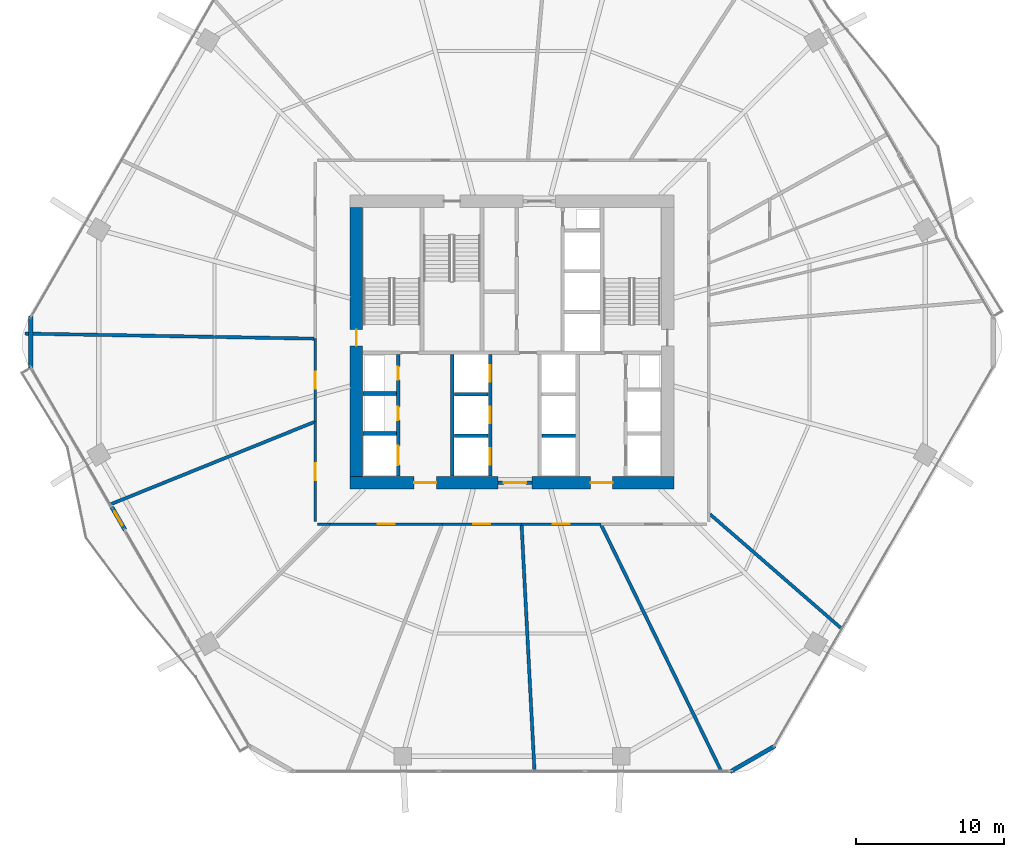
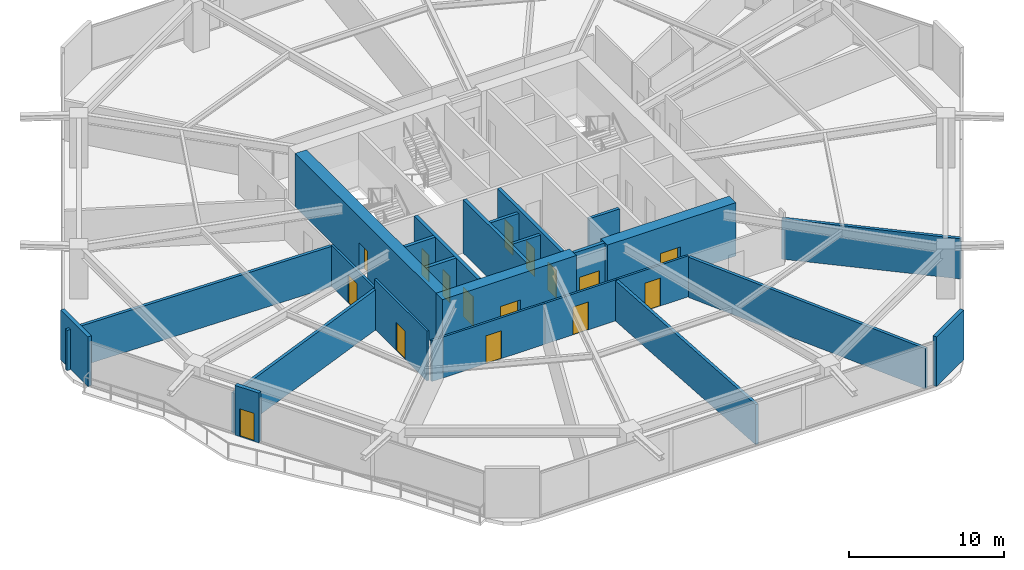
# One storey, part 22 of 27: 26 walls, 16 doors, 16 openings.
"""IFC4 building model written with IfcOpenShell, lengths in metres."""

from ifc_helpers import new_model, si_unit, direction, frame, frame_2d, origin, place, context, subcontext, project, spatial, rectangle, extrude, material, layer, layer_set, type_object, element, fill, save


model = new_model("IFC4")

# Units and contexts
model_context = context("Model", 3, precision=1e-05, world=origin(), true_north=direction((0.0, 1.0)))
body_context = subcontext(model_context, "Body", "Model", "MODEL_VIEW")
ifc_project = project(units=[si_unit("LENGTHUNIT", "METRE"), si_unit("AREAUNIT", "SQUARE_METRE"), si_unit("VOLUMEUNIT", "CUBIC_METRE"), si_unit("PLANEANGLEUNIT", "RADIAN"), si_unit("MASSUNIT", "GRAM", prefix="KILO")], contexts=[model_context])

# Site, building, storey
site_placement = place(None, origin())
site = spatial("IfcSite", under=ifc_project, at=site_placement, CompositionType="ELEMENT")
building_placement = place(site_placement, origin())
building = spatial("IfcBuilding", under=site, at=building_placement, Name="Zuhravey Tower", CompositionType="ELEMENT")
storey_placement = place(building_placement, frame((0.0, 0.0, 12.0)))
storey = spatial("IfcBuildingStorey", under=building, at=storey_placement, Name="L03", CompositionType="ELEMENT", Elevation=12.0)

# Wall, opening, door
ifc_material_1 = material(Name="Concrete C60/75", Category="concrete")
ifc_layer_1 = layer(ifc_material_1, 0.85009765625)
ifc_layer_set_1 = layer_set([ifc_layer_1], Name="Concrete C60/75")
wall_type_1 = type_object("IfcWallType", Name="Core Shear Wall 850", PredefinedType="SHEAR", material=ifc_layer_set_1)
wall_1_placement = place(storey_placement, frame((25.074951171875, 22.5, 0.0), z_axis=(0.0, 0.0, 1.0), x_axis=(1.0, 0.0, 0.0)))
wall_1 = element("IfcWall", 1, at=wall_1_placement, inside=storey, type_object=wall_type_1, Name="L03 South-West Core Shear Wall CW85", PredefinedType="SHEAR", context=body_context, shape_type="SweptSolid", body=[
    extrude(rectangle(XDim=9.97509765625, YDim=0.85009765625, at=frame_2d((4.987548828125, 0.0))), origin(), (0.0, 0.0, 1.0), 4.199951171875),
])
opening_1_placement = place(wall_1_placement, frame((4.324951171875, 0.0, 0.0)))
opening_1 = element("IfcOpeningElement", 2, at=opening_1_placement, cuts=wall_1, Name="Opening FFD1", PredefinedType="OPENING", context=body_context, shape_type="SweptSolid", body=[
    extrude(rectangle(XDim=1.5, YDim=2.14990234375, at=frame_2d((0.75, 1.074951171875))), frame((0.0, 0.43701171875, 0.0), z_axis=(0.0, -1.0, 0.0), x_axis=(1.0, 0.0, 0.0)), (0.0, 0.0, 1.0), 0.8740234375),
])
ifc_material_2 = material(Name="Galvanised fire-rated steel leaf", Category="steel")
door_type_1 = type_object("IfcDoorType", Name="Firefighting Lobby Double Door 1500x2150", OperationType="DOUBLE_DOOR_SINGLE_SWING", PredefinedType="DOOR", material=ifc_material_2)
door_1_placement = place(opening_1_placement, origin())
door_1 = element("IfcDoor", 3, at=door_1_placement, inside=storey, type_object=door_type_1, Name="L03 Firefighting Lobby West Door", OperationType="DOUBLE_DOOR_SINGLE_SWING", OverallHeight=2.14990234375, OverallWidth=1.5, PredefinedType="DOOR", context=body_context, shape_type="SweptSolid", body=[
    extrude(rectangle(XDim=1.5, YDim=2.14990234375, at=frame_2d((0.75, 1.074951171875))), frame((0.0, 0.02490234375, 0.0), z_axis=(0.0, -1.0, 0.0), x_axis=(1.0, 0.0, 0.0)), (0.0, 0.0, 1.0), 0.050048828125),
])
fill(opening_1, door_1)

wall_2_placement = place(storey_placement, frame((37.35009765625, 22.5, 0.0), z_axis=(0.0, 0.0, 1.0), x_axis=(1.0, 0.0, 0.0)))
wall_2 = element("IfcWall", 4, at=wall_2_placement, inside=storey, type_object=wall_type_1, Name="L03 South-East Core Shear Wall CW85", PredefinedType="SHEAR", context=body_context, shape_type="SweptSolid", body=[
    extrude(rectangle(XDim=9.574951171875, YDim=0.85009765625, at=frame_2d((4.78759765625, 0.0))), origin(), (0.0, 0.0, 1.0), 4.199951171875),
])
opening_2_placement = place(wall_2_placement, frame((3.949951171875, 0.0, 0.0)))
opening_2 = element("IfcOpeningElement", 5, at=opening_2_placement, cuts=wall_2, Name="Opening FFD1", PredefinedType="OPENING", context=body_context, shape_type="SweptSolid", body=[
    extrude(rectangle(XDim=1.5, YDim=2.14990234375, at=frame_2d((0.75, 1.074951171875))), frame((0.0, 0.43701171875, 0.0), z_axis=(0.0, -1.0, 0.0), x_axis=(1.0, 0.0, 0.0)), (0.0, 0.0, 1.0), 0.8740234375),
])
door_2_placement = place(opening_2_placement, origin())
door_2 = element("IfcDoor", 6, at=door_2_placement, inside=storey, type_object=door_type_1, Name="L03 Firefighting Lobby East Door", OperationType="DOUBLE_DOOR_SINGLE_SWING", OverallHeight=2.14990234375, OverallWidth=1.5, PredefinedType="DOOR", context=body_context, shape_type="SweptSolid", body=[
    extrude(rectangle(XDim=1.5, YDim=2.14990234375, at=frame_2d((0.75, 1.074951171875))), frame((0.0, 0.02490234375, 0.0), z_axis=(0.0, -1.0, 0.0), x_axis=(1.0, 0.0, 0.0)), (0.0, 0.0, 1.0), 0.050048828125),
])
fill(opening_2, door_2)

wall_3_placement = place(storey_placement, frame((25.5, 22.925048828125, 0.0), z_axis=(0.0, 0.0, 1.0), x_axis=(0.0, 1.0, 0.0)))
wall_3 = element("IfcWall", 7, at=wall_3_placement, inside=storey, type_object=wall_type_1, Name="L03 West Core Shear Wall CW85", PredefinedType="SHEAR", context=body_context, shape_type="SweptSolid", body=[
    extrude(rectangle(XDim=18.14990234375, YDim=0.85009765625, at=frame_2d((9.074951171875, 0.0))), origin(), (0.0, 0.0, 1.0), 4.199951171875),
])
opening_3_placement = place(wall_3_placement, frame((8.824951171875, 0.0, 0.0)))
opening_3 = element("IfcOpeningElement", 8, at=opening_3_placement, cuts=wall_3, Name="Opening STD1", PredefinedType="OPENING", context=body_context, shape_type="SweptSolid", body=[
    extrude(rectangle(XDim=1.10009765625, YDim=2.14990234375, at=frame_2d((0.550048828125, 1.074951171875))), frame((0.0, 0.43701171875, 0.0), z_axis=(0.0, -1.0, 0.0), x_axis=(1.0, 0.0, 0.0)), (0.0, 0.0, 1.0), 0.8740234375),
])
door_type_2 = type_object("IfcDoorType", Name="Protected Stair Fire Door 1100x2150", OperationType="NOTDEFINED", PredefinedType="USERDEFINED", material=ifc_material_2)
door_3_placement = place(opening_3_placement, frame((1.10009765625, 0.0, 0.0), z_axis=(0.0, 0.0, 1.0), x_axis=(-1.0, 0.0, 0.0)))
door_3 = element("IfcDoor", 9, at=door_3_placement, inside=storey, type_object=door_type_2, Name="L03 Stair ST1 Door", ObjectType="EXITDOOR", OperationType="SINGLE_SWING_RIGHT", OverallHeight=2.14990234375, OverallWidth=1.10009765625, PredefinedType="USERDEFINED", context=body_context, shape_type="SweptSolid", body=[
    extrude(rectangle(XDim=1.10009765625, YDim=2.14990234375, at=frame_2d((0.550048828125, 1.074951171875))), frame((0.0, 0.02490234375, 0.0), z_axis=(0.0, -1.0, 0.0), x_axis=(1.0, 0.0, 0.0)), (0.0, 0.0, 1.0), 0.050048828125),
])
fill(opening_3, door_3)

ifc_material_3 = material(Name="Gypsum fire-rated stud partition")
ifc_layer_2 = layer(ifc_material_3, 0.159912109375)
ifc_layer_set_2 = layer_set([ifc_layer_2], Name="Gypsum fire-rated stud partition")
wall_type_2 = type_object("IfcWallType", Name="Corridor Fire Partition 160", PredefinedType="PARTITIONING", material=ifc_layer_set_2)
wall_4_placement = place(storey_placement, frame((22.715087890625, 32.23193359375, 0.0), z_axis=(0.0, 0.0, 1.0), x_axis=(0.0, -1.0, 0.0)))
wall_4 = element("IfcWall", 10, at=wall_4_placement, inside=storey, type_object=wall_type_2, Name="L03 IW16 Partition 028", PredefinedType="PARTITIONING", context=body_context, shape_type="SweptSolid", body=[
    extrude(rectangle(XDim=5.599365234375, YDim=0.159912109375, at=frame_2d((2.7998046875, 0.0))), origin(), (0.0, 0.0, 1.0), 3.219970703125),
])
opening_4_placement = place(wall_4_placement, frame((2.224609375, 0.0, 0.0)))
opening_4 = element("IfcOpeningElement", 11, at=opening_4_placement, cuts=wall_4, Name="Opening CLD1", PredefinedType="OPENING", context=body_context, shape_type="SweptSolid", body=[
    extrude(rectangle(XDim=1.14990234375, YDim=2.199951171875, at=frame_2d((0.574951171875, 1.10009765625))), frame((0.0, 0.092041015625, 0.0), z_axis=(0.0, -1.0, 0.0), x_axis=(1.0, 0.0, 0.0)), (0.0, 0.0, 1.0), 0.183837890625),
])
ifc_material_4 = material(Name="Acoustic timber leaf with vision lite", Category="wood")
door_type_3 = type_object("IfcDoorType", Name="Classroom Acoustic Door 1150x2200", OperationType="NOTDEFINED", PredefinedType="DOOR", material=ifc_material_4)
door_4_placement = place(opening_4_placement, frame((1.14990234375, 0.0, 0.0), z_axis=(0.0, 0.0, 1.0), x_axis=(-1.0, 0.0, 0.0)))
door_4 = element("IfcDoor", 12, at=door_4_placement, inside=storey, type_object=door_type_3, Name="L03 Door 028.1", OperationType="SINGLE_SWING_LEFT", OverallHeight=2.199951171875, OverallWidth=1.14990234375, PredefinedType="DOOR", context=body_context, shape_type="SweptSolid", body=[
    extrude(rectangle(XDim=1.14990234375, YDim=2.199951171875, at=frame_2d((0.574951171875, 1.10009765625))), frame((0.0, 0.02490234375, 0.0), z_axis=(0.0, -1.0, 0.0), x_axis=(1.0, 0.0, 0.0)), (0.0, 0.0, 1.0), 0.050048828125),
])
fill(opening_4, door_4)

wall_5_placement = place(storey_placement, frame((22.715087890625, 26.632568359375, 0.0), z_axis=(0.0, 0.0, 1.0), x_axis=(0.0, -1.0, 0.0)))
wall_5 = element("IfcWall", 13, at=wall_5_placement, inside=storey, type_object=wall_type_2, Name="L03 IW16 Partition 029", PredefinedType="PARTITIONING", context=body_context, shape_type="SweptSolid", body=[
    extrude(rectangle(XDim=6.757568359375, YDim=0.159912109375, at=frame_2d((3.37890625, 0.0))), origin(), (0.0, 0.0, 1.0), 3.919921875),
])
opening_5_placement = place(wall_5_placement, frame((2.8037109375, 0.0, 0.0)))
opening_5 = element("IfcOpeningElement", 14, at=opening_5_placement, cuts=wall_5, Name="Opening CLD1", PredefinedType="OPENING", context=body_context, shape_type="SweptSolid", body=[
    extrude(rectangle(XDim=1.14990234375, YDim=2.199951171875, at=frame_2d((0.574951171875, 1.10009765625))), frame((0.0, 0.092041015625, 0.0), z_axis=(0.0, -1.0, 0.0), x_axis=(1.0, 0.0, 0.0)), (0.0, 0.0, 1.0), 0.183837890625),
])
door_5_placement = place(opening_5_placement, frame((1.14990234375, 0.0, 0.0), z_axis=(0.0, 0.0, 1.0), x_axis=(-1.0, 0.0, 0.0)))
door_5 = element("IfcDoor", 15, at=door_5_placement, inside=storey, type_object=door_type_3, Name="L03 Door 029.1", OperationType="SINGLE_SWING_RIGHT", OverallHeight=2.199951171875, OverallWidth=1.14990234375, PredefinedType="DOOR", context=body_context, shape_type="SweptSolid", body=[
    extrude(rectangle(XDim=1.14990234375, YDim=2.199951171875, at=frame_2d((0.574951171875, 1.10009765625))), frame((0.0, 0.02490234375, 0.0), z_axis=(0.0, -1.0, 0.0), x_axis=(1.0, 0.0, 0.0)), (0.0, 0.0, 1.0), 0.050048828125),
])
fill(opening_5, door_5)

wall_6_placement = place(storey_placement, frame((23.715087890625, 19.715087890625, 0.0), z_axis=(0.0, 0.0, 1.0), x_axis=(1.0, 0.0, 0.0)))
wall_6 = element("IfcWall", 16, at=wall_6_placement, inside=storey, type_object=wall_type_2, Name="L03 IW16 Partition 030", PredefinedType="PARTITIONING", context=body_context, shape_type="SweptSolid", body=[
    extrude(rectangle(XDim=7.569091796875, YDim=0.159912109375, at=frame_2d((3.78466796875, 0.0))), origin(), (0.0, 0.0, 1.0), 3.219970703125),
])
opening_6_placement = place(wall_6_placement, frame((3.209716796875, 0.0, 0.0)))
opening_6 = element("IfcOpeningElement", 17, at=opening_6_placement, cuts=wall_6, Name="Opening CLD1", PredefinedType="OPENING", context=body_context, shape_type="SweptSolid", body=[
    extrude(rectangle(XDim=1.14990234375, YDim=2.199951171875, at=frame_2d((0.574951171875, 1.10009765625))), frame((0.0, 0.092041015625, 0.0), z_axis=(0.0, -1.0, 0.0), x_axis=(1.0, 0.0, 0.0)), (0.0, 0.0, 1.0), 0.183837890625),
])
door_6_placement = place(opening_6_placement, frame((1.14990234375, 0.0, 0.0), z_axis=(0.0, 0.0, 1.0), x_axis=(-1.0, 0.0, 0.0)))
door_6 = element("IfcDoor", 18, at=door_6_placement, inside=storey, type_object=door_type_3, Name="L03 Door 030.1", OperationType="SINGLE_SWING_LEFT", OverallHeight=2.199951171875, OverallWidth=1.14990234375, PredefinedType="DOOR", context=body_context, shape_type="SweptSolid", body=[
    extrude(rectangle(XDim=1.14990234375, YDim=2.199951171875, at=frame_2d((0.574951171875, 1.10009765625))), frame((0.0, 0.02490234375, 0.0), z_axis=(0.0, -1.0, 0.0), x_axis=(1.0, 0.0, 0.0)), (0.0, 0.0, 1.0), 0.050048828125),
])
fill(opening_6, door_6)

wall_7_placement = place(storey_placement, frame((31.2841796875, 19.715087890625, 0.0), z_axis=(0.0, 0.0, 1.0), x_axis=(1.0, 0.0, 0.0)))
wall_7 = element("IfcWall", 19, at=wall_7_placement, inside=storey, type_object=wall_type_2, Name="L03 IW16 Partition 031", PredefinedType="PARTITIONING", context=body_context, shape_type="SweptSolid", body=[
    extrude(rectangle(XDim=5.359619140625, YDim=0.159912109375, at=frame_2d((2.6796875, 0.0))), origin(), (0.0, 0.0, 1.0), 3.219970703125),
])
opening_7_placement = place(wall_7_placement, frame((2.104736328125, 0.0, 0.0)))
opening_7 = element("IfcOpeningElement", 20, at=opening_7_placement, cuts=wall_7, Name="Opening CLD1", PredefinedType="OPENING", context=body_context, shape_type="SweptSolid", body=[
    extrude(rectangle(XDim=1.14990234375, YDim=2.199951171875, at=frame_2d((0.574951171875, 1.10009765625))), frame((0.0, 0.092041015625, 0.0), z_axis=(0.0, -1.0, 0.0), x_axis=(1.0, 0.0, 0.0)), (0.0, 0.0, 1.0), 0.183837890625),
])
door_7_placement = place(opening_7_placement, frame((1.14990234375, 0.0, 0.0), z_axis=(0.0, 0.0, 1.0), x_axis=(-1.0, 0.0, 0.0)))
door_7 = element("IfcDoor", 21, at=door_7_placement, inside=storey, type_object=door_type_3, Name="L03 Door 031.1", OperationType="SINGLE_SWING_RIGHT", OverallHeight=2.199951171875, OverallWidth=1.14990234375, PredefinedType="DOOR", context=body_context, shape_type="SweptSolid", body=[
    extrude(rectangle(XDim=1.14990234375, YDim=2.199951171875, at=frame_2d((0.574951171875, 1.10009765625))), frame((0.0, 0.02490234375, 0.0), z_axis=(0.0, -1.0, 0.0), x_axis=(1.0, 0.0, 0.0)), (0.0, 0.0, 1.0), 0.050048828125),
])
fill(opening_7, door_7)

wall_8_placement = place(storey_placement, frame((36.643798828125, 19.715087890625, 0.0), z_axis=(0.0, 0.0, 1.0), x_axis=(1.0, 0.0, 0.0)))
wall_8 = element("IfcWall", 22, at=wall_8_placement, inside=storey, type_object=wall_type_2, Name="L03 IW16 Partition 032", PredefinedType="PARTITIONING", context=body_context, shape_type="SweptSolid", body=[
    extrude(rectangle(XDim=5.347900390625, YDim=0.159912109375, at=frame_2d((2.673828125, 0.0))), origin(), (0.0, 0.0, 1.0), 3.219970703125),
])
opening_8_placement = place(wall_8_placement, frame((2.09912109375, 0.0, 0.0)))
opening_8 = element("IfcOpeningElement", 23, at=opening_8_placement, cuts=wall_8, Name="Opening CLD1", PredefinedType="OPENING", context=body_context, shape_type="SweptSolid", body=[
    extrude(rectangle(XDim=1.14990234375, YDim=2.199951171875, at=frame_2d((0.574951171875, 1.10009765625))), frame((0.0, 0.092041015625, 0.0), z_axis=(0.0, -1.0, 0.0), x_axis=(1.0, 0.0, 0.0)), (0.0, 0.0, 1.0), 0.183837890625),
])
door_8_placement = place(opening_8_placement, frame((1.14990234375, 0.0, 0.0), z_axis=(0.0, 0.0, 1.0), x_axis=(-1.0, 0.0, 0.0)))
door_8 = element("IfcDoor", 24, at=door_8_placement, inside=storey, type_object=door_type_3, Name="L03 Door 032.1", OperationType="SINGLE_SWING_LEFT", OverallHeight=2.199951171875, OverallWidth=1.14990234375, PredefinedType="DOOR", context=body_context, shape_type="SweptSolid", body=[
    extrude(rectangle(XDim=1.14990234375, YDim=2.199951171875, at=frame_2d((0.574951171875, 1.10009765625))), frame((0.0, 0.02490234375, 0.0), z_axis=(0.0, -1.0, 0.0), x_axis=(1.0, 0.0, 0.0)), (0.0, 0.0, 1.0), 0.050048828125),
])
fill(opening_8, door_8)

# Walls
wall_9_placement = place(storey_placement, frame((22.875, 19.715087890625, 0.0), z_axis=(0.0, 0.0, 1.0), x_axis=(1.0, 0.0, 0.0)))
element("IfcWall", 25, at=wall_9_placement, inside=storey, type_object=wall_type_2, Name="L03 IW16 Partition 057", PredefinedType="PARTITIONING", context=body_context, shape_type="SweptSolid", body=[
    extrude(rectangle(XDim=0.840087890625, YDim=0.159912109375, at=frame_2d((0.419921875, 0.0))), origin(), (0.0, 0.0, 1.0), 3.219970703125),
])
ifc_material_5 = material(Name="Precast concrete C40/50", Category="concrete")
ifc_layer_3 = layer(ifc_material_5, 0.280029296875)
ifc_layer_set_3 = layer_set([ifc_layer_3], Name="Precast concrete C40/50")
wall_type_3 = type_object("IfcWallType", Name="Crown Architectural Wall 280", PredefinedType="SOLIDWALL", material=ifc_layer_set_3)
wall_10_placement = place(storey_placement, frame((53.76123046875, 4.75146484375, 0.0), z_axis=(0.0, 0.0, 1.0), x_axis=(-0.866007452331, -0.500031091541, 0.0)))
element("IfcWall", 26, at=wall_10_placement, inside=storey, type_object=wall_type_3, Name="L03 Rounded Corner Closure Wall EW28-02", PredefinedType="SOLIDWALL", context=body_context, shape_type="SweptSolid", body=[
    extrude(rectangle(XDim=3.514892578125, YDim=0.280029296875, at=frame_2d((1.75732421875, 0.0))), origin(), (0.0, 0.0, 1.0), 3.919921875),
])

# Wall, opening, door
wall_11_placement = place(storey_placement, frame((9.885986328125, 19.31396484375, 0.0), z_axis=(0.0, 0.0, 1.0), x_axis=(-0.499982180423, 0.866035691677, 0.0)))
wall_11 = element("IfcWall", 27, at=wall_11_placement, inside=storey, type_object=wall_type_3, Name="L03 Face 4 Facade Pier EW28-1", PredefinedType="SOLIDWALL", context=body_context, shape_type="SweptSolid", body=[
    extrude(rectangle(XDim=1.7900390625, YDim=0.280029296875, at=frame_2d((0.89501953125, 0.0))), origin(), (0.0, 0.0, 1.0), 3.919921875),
])
opening_9_placement = place(wall_11_placement, frame((0.344970703125, 0.0, 0.0)))
opening_9 = element("IfcOpeningElement", 28, at=opening_9_placement, cuts=wall_11, Name="Opening BLD1", PredefinedType="OPENING", context=body_context, shape_type="SweptSolid", body=[
    extrude(rectangle(XDim=1.10009765625, YDim=2.199951171875, at=frame_2d((0.550048828125, 1.10009765625))), frame((0.0, 0.152099609375, 0.0), z_axis=(0.0, -1.0, 0.0), x_axis=(1.0, 0.0, 0.0)), (0.0, 0.0, 1.0), 0.303955078125),
])
ifc_material_6 = material(Name="Thermally broken aluminium and low-E glass", Category="aluminium")
door_type_4 = type_object("IfcDoorType", Name="Balcony & Sky-Tray Glazed Door 1100x2200", OperationType="NOTDEFINED", PredefinedType="DOOR", material=ifc_material_6)
door_9_placement = place(opening_9_placement, frame((1.10009765625, 0.0, 0.0), z_axis=(0.0, 0.0, 1.0), x_axis=(-1.0, 0.0, 0.0)))
door_9 = element("IfcDoor", 29, at=door_9_placement, inside=storey, type_object=door_type_4, Name="L03 Face 4 School Wave Terrace Door", OperationType="SINGLE_SWING_RIGHT", OverallHeight=2.199951171875, OverallWidth=1.10009765625, PredefinedType="DOOR", context=body_context, shape_type="SweptSolid", body=[
    extrude(rectangle(XDim=1.10009765625, YDim=2.199951171875, at=frame_2d((0.550048828125, 1.10009765625))), frame((0.0, 0.02490234375, 0.0), z_axis=(0.0, -1.0, 0.0), x_axis=(1.0, 0.0, 0.0)), (0.0, 0.0, 1.0), 0.050048828125),
])
fill(opening_9, door_9)

# Wall
wall_12_placement = place(storey_placement, frame((3.521484375, 30.242431640625, 0.0), z_axis=(0.0, 0.0, 1.0), x_axis=(0.0, 1.0, 0.0)))
element("IfcWall", 30, at=wall_12_placement, inside=storey, type_object=wall_type_3, Name="L03 Rounded Corner Closure Wall EW28-06", PredefinedType="SOLIDWALL", context=body_context, shape_type="SweptSolid", body=[
    extrude(rectangle(XDim=3.51513671875, YDim=0.280029296875, at=frame_2d((1.757568359375, 0.0))), origin(), (0.0, 0.0, 1.0), 3.919921875),
])

# Wall, opening, door
ifc_material_7 = material(Name="Concrete C50/60", Category="concrete")
ifc_layer_4 = layer(ifc_material_7, 0.25)
ifc_layer_set_4 = layer_set([ifc_layer_4], Name="Concrete C50/60")
wall_type_4 = type_object("IfcWallType", Name="Firefighting Shaft & Stair Wall 250", PredefinedType="SOLIDWALL", material=ifc_layer_set_4)
wall_13_placement = place(storey_placement, frame((35.06005859375, 22.5, 0.0), z_axis=(0.0, 0.0, 1.0), x_axis=(1.0, 0.0, 0.0)))
wall_13 = element("IfcWall", 31, at=wall_13_placement, inside=storey, type_object=wall_type_4, Name="L03 FW25 Shaft Wall 001", PredefinedType="SOLIDWALL", context=body_context, shape_type="SweptSolid", body=[
    extrude(rectangle(XDim=2.280029296875, YDim=0.25, at=frame_2d((1.14013671875, 0.0))), origin(), (0.0, 0.0, 1.0), 4.199951171875),
])
opening_10_placement = place(wall_13_placement, frame((0.389892578125, 0.0, 0.0)))
opening_10 = element("IfcOpeningElement", 32, at=opening_10_placement, cuts=wall_13, Name="Opening FFD1", PredefinedType="OPENING", context=body_context, shape_type="SweptSolid", body=[
    extrude(rectangle(XDim=1.5, YDim=2.14990234375, at=frame_2d((0.75, 1.074951171875))), frame((0.0, 0.136962890625, 0.0), z_axis=(0.0, -1.0, 0.0), x_axis=(1.0, 0.0, 0.0)), (0.0, 0.0, 1.0), 0.27392578125),
])
door_10_placement = place(opening_10_placement, frame((1.5, 0.0, 0.0), z_axis=(0.0, 0.0, 1.0), x_axis=(-1.0, 0.0, 0.0)))
door_10 = element("IfcDoor", 33, at=door_10_placement, inside=storey, type_object=door_type_1, Name="L03 South Lift Lobby Exit Door", OperationType="DOUBLE_DOOR_SINGLE_SWING", OverallHeight=2.14990234375, OverallWidth=1.5, PredefinedType="DOOR", context=body_context, shape_type="SweptSolid", body=[
    extrude(rectangle(XDim=1.5, YDim=2.14990234375, at=frame_2d((0.75, 1.074951171875))), frame((0.0, 0.02490234375, 0.0), z_axis=(0.0, -1.0, 0.0), x_axis=(1.0, 0.0, 0.0)), (0.0, 0.0, 1.0), 0.050048828125),
])
fill(opening_10, door_10)

# Walls
for number, where, z_axis, x_axis, name in (
    (34, (25.949951171875, 25.824951171875, 0.0), (0.0, 0.0, 1.0), (1.0, 0.0, 0.0), "L03 FW25 Shaft Wall 009"),
    (35, (25.949951171875, 28.52490234375, 0.0), (0.0, 0.0, 1.0), (1.0, 0.0, 0.0), "L03 FW25 Shaft Wall 010"),
):
    element("IfcWall", number, at=place(storey_placement, frame(where, z_axis=z_axis, x_axis=x_axis)), inside=storey, type_object=wall_type_4, Name=name, PredefinedType="SOLIDWALL", context=body_context, shape_type="SweptSolid", body=[
        extrude(rectangle(XDim=2.25, YDim=0.25, at=frame_2d((1.125, 0.0))), origin(), (0.0, 0.0, 1.0), 4.199951171875),
    ])

# Wall, openings, doors
wall_14_placement = place(storey_placement, frame((28.324951171875, 22.949951171875, 0.0), z_axis=(0.0, 0.0, 1.0), x_axis=(0.0, 1.0, 0.0)))
wall_14 = element("IfcWall", 36, at=wall_14_placement, inside=storey, type_object=wall_type_4, Name="L03 FW25 Shaft Wall 011", PredefinedType="SOLIDWALL", context=body_context, shape_type="SweptSolid", body=[
    extrude(rectangle(XDim=8.199951171875, YDim=0.25, at=frame_2d((4.10009765625, 0.0))), origin(), (0.0, 0.0, 1.0), 4.199951171875),
])
opening_11_placement = place(wall_14_placement, frame((0.75, 0.0, 0.0)))
opening_11 = element("IfcOpeningElement", 37, at=opening_11_placement, cuts=wall_14, Name="Opening LD2", PredefinedType="OPENING", context=body_context, shape_type="SweptSolid", body=[
    extrude(rectangle(XDim=1.300048828125, YDim=2.300048828125, at=frame_2d((0.64990234375, 1.14990234375))), frame((0.0, 0.136962890625, 0.0), z_axis=(0.0, -1.0, 0.0), x_axis=(1.0, 0.0, 0.0)), (0.0, 0.0, 1.0), 0.27392578125),
])
opening_12_placement = place(wall_14_placement, frame((3.780029296875, 0.0, 0.0)))
opening_12 = element("IfcOpeningElement", 38, at=opening_12_placement, cuts=wall_14, Name="Opening RSD1", PredefinedType="OPENING", context=body_context, shape_type="SweptSolid", body=[
    extrude(rectangle(XDim=0.89990234375, YDim=2.10009765625, at=frame_2d((0.449951171875, 1.050048828125))), frame((0.0, 0.136962890625, 0.0), z_axis=(0.0, -1.0, 0.0), x_axis=(1.0, 0.0, 0.0)), (0.0, 0.0, 1.0), 0.27392578125),
])
opening_13_placement = place(wall_14_placement, frame((6.5, 0.0, 0.0)))
opening_13 = element("IfcOpeningElement", 39, at=opening_13_placement, cuts=wall_14, Name="Opening RSD1", PredefinedType="OPENING", context=body_context, shape_type="SweptSolid", body=[
    extrude(rectangle(XDim=0.89990234375, YDim=2.10009765625, at=frame_2d((0.449951171875, 1.050048828125))), frame((0.0, 0.136962890625, 0.0), z_axis=(0.0, -1.0, 0.0), x_axis=(1.0, 0.0, 0.0)), (0.0, 0.0, 1.0), 0.27392578125),
])
ifc_material_8 = material(Name="Brushed stainless steel", Category="steel")
door_type_5 = type_object("IfcDoorType", Name="Freight & Stretcher Lift Sliding Door 1300x2300", OperationType="DOUBLE_DOOR_SLIDING", PredefinedType="DOOR", material=ifc_material_8)
door_11_placement = place(opening_11_placement, frame((1.300048828125, 0.0, 0.0), z_axis=(0.0, 0.0, 1.0), x_axis=(-1.0, 0.0, 0.0)))
door_11 = element("IfcDoor", 40, at=door_11_placement, inside=storey, type_object=door_type_5, Name="L03 Lift FF1 Landing Door", OperationType="DOUBLE_DOOR_SLIDING", OverallHeight=2.300048828125, OverallWidth=1.300048828125, PredefinedType="DOOR", context=body_context, shape_type="SweptSolid", body=[
    extrude(rectangle(XDim=1.300048828125, YDim=2.300048828125, at=frame_2d((0.64990234375, 1.14990234375))), frame((0.0, 0.02490234375, 0.0), z_axis=(0.0, -1.0, 0.0), x_axis=(1.0, 0.0, 0.0)), (0.0, 0.0, 1.0), 0.050048828125),
])
fill(opening_11, door_11)
ifc_material_9 = material(Name="Galvanised fire-rated steel access leaf", Category="steel")
door_type_6 = type_object("IfcDoorType", Name="Riser & Shaft Access Fire Door 900x2100", OperationType="NOTDEFINED", PredefinedType="DOOR", material=ifc_material_9)
door_12_placement = place(opening_12_placement, frame((0.89990234375, 0.0, 0.0), z_axis=(0.0, 0.0, 1.0), x_axis=(-1.0, 0.0, 0.0)))
door_12 = element("IfcDoor", 41, at=door_12_placement, inside=storey, type_object=door_type_6, Name="L03 Electrical Riser Door", OperationType="SINGLE_SWING_LEFT", OverallHeight=2.10009765625, OverallWidth=0.89990234375, PredefinedType="DOOR", context=body_context, shape_type="SweptSolid", body=[
    extrude(rectangle(XDim=0.89990234375, YDim=2.10009765625, at=frame_2d((0.449951171875, 1.050048828125))), frame((0.0, 0.02490234375, 0.0), z_axis=(0.0, -1.0, 0.0), x_axis=(1.0, 0.0, 0.0)), (0.0, 0.0, 1.0), 0.050048828125),
])
fill(opening_12, door_12)
door_13_placement = place(opening_13_placement, frame((0.89990234375, 0.0, 0.0), z_axis=(0.0, 0.0, 1.0), x_axis=(-1.0, 0.0, 0.0)))
door_13 = element("IfcDoor", 42, at=door_13_placement, inside=storey, type_object=door_type_6, Name="L03 Smoke Shaft Access Door", OperationType="SINGLE_SWING_RIGHT", OverallHeight=2.10009765625, OverallWidth=0.89990234375, PredefinedType="DOOR", context=body_context, shape_type="SweptSolid", body=[
    extrude(rectangle(XDim=0.89990234375, YDim=2.10009765625, at=frame_2d((0.449951171875, 1.050048828125))), frame((0.0, 0.02490234375, 0.0), z_axis=(0.0, -1.0, 0.0), x_axis=(1.0, 0.0, 0.0)), (0.0, 0.0, 1.0), 0.050048828125),
])
fill(opening_13, door_13)

# Wall
wall_15_placement = place(storey_placement, frame((31.97509765625, 22.949951171875, 0.0), z_axis=(0.0, 0.0, 1.0), x_axis=(0.0, 1.0, 0.0)))
element("IfcWall", 43, at=wall_15_placement, inside=storey, type_object=wall_type_4, Name="L03 FW25 Shaft Wall 012", PredefinedType="SOLIDWALL", context=body_context, shape_type="SweptSolid", body=[
    extrude(rectangle(XDim=8.199951171875, YDim=0.25, at=frame_2d((4.10009765625, 0.0))), origin(), (0.0, 0.0, 1.0), 4.199951171875),
])

# Wall, openings, doors
wall_16_placement = place(storey_placement, frame((34.52490234375, 22.949951171875, 0.0), z_axis=(0.0, 0.0, 1.0), x_axis=(0.0, 1.0, 0.0)))
wall_16 = element("IfcWall", 44, at=wall_16_placement, inside=storey, type_object=wall_type_4, Name="L03 FW25 Shaft Wall 013", PredefinedType="SOLIDWALL", context=body_context, shape_type="SweptSolid", body=[
    extrude(rectangle(XDim=8.199951171875, YDim=0.25, at=frame_2d((4.10009765625, 0.0))), origin(), (0.0, 0.0, 1.0), 4.199951171875),
])
opening_14_placement = place(wall_16_placement, frame((0.77490234375, 0.0, 0.0)))
opening_14 = element("IfcOpeningElement", 45, at=opening_14_placement, cuts=wall_16, Name="Opening LD1", PredefinedType="OPENING", context=body_context, shape_type="SweptSolid", body=[
    extrude(rectangle(XDim=1.10009765625, YDim=2.199951171875, at=frame_2d((0.550048828125, 1.10009765625))), frame((0.0, 0.136962890625, 0.0), z_axis=(0.0, -1.0, 0.0), x_axis=(1.0, 0.0, 0.0)), (0.0, 0.0, 1.0), 0.27392578125),
])
opening_15_placement = place(wall_16_placement, frame((3.574951171875, 0.0, 0.0)))
opening_15 = element("IfcOpeningElement", 46, at=opening_15_placement, cuts=wall_16, Name="Opening LD1", PredefinedType="OPENING", context=body_context, shape_type="SweptSolid", body=[
    extrude(rectangle(XDim=1.10009765625, YDim=2.199951171875, at=frame_2d((0.550048828125, 1.10009765625))), frame((0.0, 0.136962890625, 0.0), z_axis=(0.0, -1.0, 0.0), x_axis=(1.0, 0.0, 0.0)), (0.0, 0.0, 1.0), 0.27392578125),
])
opening_16_placement = place(wall_16_placement, frame((6.375, 0.0, 0.0)))
opening_16 = element("IfcOpeningElement", 47, at=opening_16_placement, cuts=wall_16, Name="Opening LD1", PredefinedType="OPENING", context=body_context, shape_type="SweptSolid", body=[
    extrude(rectangle(XDim=1.10009765625, YDim=2.199951171875, at=frame_2d((0.550048828125, 1.10009765625))), frame((0.0, 0.136962890625, 0.0), z_axis=(0.0, -1.0, 0.0), x_axis=(1.0, 0.0, 0.0)), (0.0, 0.0, 1.0), 0.27392578125),
])
door_type_7 = type_object("IfcDoorType", Name="Lift Landing Sliding Door 1100x2200", OperationType="DOUBLE_DOOR_SLIDING", PredefinedType="DOOR", material=ifc_material_8)
door_14_placement = place(opening_14_placement, frame((1.10009765625, 0.0, 0.0), z_axis=(0.0, 0.0, 1.0), x_axis=(-1.0, 0.0, 0.0)))
door_14 = element("IfcDoor", 48, at=door_14_placement, inside=storey, type_object=door_type_7, Name="L03 Lift PL1 Landing Door", OperationType="DOUBLE_DOOR_SLIDING", OverallHeight=2.199951171875, OverallWidth=1.10009765625, PredefinedType="DOOR", context=body_context, shape_type="SweptSolid", body=[
    extrude(rectangle(XDim=1.10009765625, YDim=2.199951171875, at=frame_2d((0.550048828125, 1.10009765625))), frame((0.0, 0.02490234375, 0.0), z_axis=(0.0, -1.0, 0.0), x_axis=(1.0, 0.0, 0.0)), (0.0, 0.0, 1.0), 0.050048828125),
])
fill(opening_14, door_14)
door_15_placement = place(opening_15_placement, frame((1.10009765625, 0.0, 0.0), z_axis=(0.0, 0.0, 1.0), x_axis=(-1.0, 0.0, 0.0)))
door_15 = element("IfcDoor", 49, at=door_15_placement, inside=storey, type_object=door_type_7, Name="L03 Lift PL2 Landing Door", OperationType="DOUBLE_DOOR_SLIDING", OverallHeight=2.199951171875, OverallWidth=1.10009765625, PredefinedType="DOOR", context=body_context, shape_type="SweptSolid", body=[
    extrude(rectangle(XDim=1.10009765625, YDim=2.199951171875, at=frame_2d((0.550048828125, 1.10009765625))), frame((0.0, 0.02490234375, 0.0), z_axis=(0.0, -1.0, 0.0), x_axis=(1.0, 0.0, 0.0)), (0.0, 0.0, 1.0), 0.050048828125),
])
fill(opening_15, door_15)
door_16_placement = place(opening_16_placement, frame((1.10009765625, 0.0, 0.0), z_axis=(0.0, 0.0, 1.0), x_axis=(-1.0, 0.0, 0.0)))
door_16 = element("IfcDoor", 50, at=door_16_placement, inside=storey, type_object=door_type_7, Name="L03 Lift PL3 Landing Door", OperationType="DOUBLE_DOOR_SLIDING", OverallHeight=2.199951171875, OverallWidth=1.10009765625, PredefinedType="DOOR", context=body_context, shape_type="SweptSolid", body=[
    extrude(rectangle(XDim=1.10009765625, YDim=2.199951171875, at=frame_2d((0.550048828125, 1.10009765625))), frame((0.0, 0.02490234375, 0.0), z_axis=(0.0, -1.0, 0.0), x_axis=(1.0, 0.0, 0.0)), (0.0, 0.0, 1.0), 0.050048828125),
])
fill(opening_16, door_16)

# Walls
ifc_material_10 = material(Name="Gypsum acoustic stud assembly")
ifc_layer_5 = layer(ifc_material_10, 0.219970703125)
ifc_layer_set_5 = layer_set([ifc_layer_5], Name="Gypsum acoustic stud assembly")
wall_type_5 = type_object("IfcWallType", Name="School Acoustic Compartment Wall 220", PredefinedType="PARTITIONING", material=ifc_layer_set_5)
for number, where, z_axis, x_axis, name in (
    (51, (32.10791015625, 25.675048828125, 0.0), (0.0, 0.0, 1.0), (1.0, 0.0, 0.0), "L03 IW22 Partition 039"),
    (52, (32.10791015625, 28.47509765625, 0.0), (0.0, 0.0, 1.0), (1.0, 0.0, 0.0), "L03 IW22 Partition 040"),
):
    element("IfcWall", number, at=place(storey_placement, frame(where, z_axis=z_axis, x_axis=x_axis)), inside=storey, type_object=wall_type_5, Name=name, PredefinedType="PARTITIONING", context=body_context, shape_type="SweptSolid", body=[
        extrude(rectangle(XDim=2.2841796875, YDim=0.219970703125, at=frame_2d((1.14208984375, 0.0))), origin(), (0.0, 0.0, 1.0), 3.919921875),
    ])
wall_17_placement = place(storey_placement, frame((38.008056640625, 25.675048828125, 0.0), z_axis=(0.0, 0.0, 1.0), x_axis=(1.0, 0.0, 0.0)))
element("IfcWall", 53, at=wall_17_placement, inside=storey, type_object=wall_type_5, Name="L03 IW22 Partition 041", PredefinedType="PARTITIONING", context=body_context, shape_type="SweptSolid", body=[
    extrude(rectangle(XDim=2.283935546875, YDim=0.219970703125, at=frame_2d((1.14208984375, 0.0))), origin(), (0.0, 0.0, 1.0), 3.919921875),
])
wall_18_placement = place(storey_placement, frame((22.626953125, 32.2333984375, 0.0), z_axis=(0.0, 0.0, 1.0), x_axis=(-0.999847613209, 0.017457100559, 0.0)))
element("IfcWall", 54, at=wall_18_placement, inside=storey, type_object=wall_type_5, Name="L03 IW22 Partition 055", PredefinedType="PARTITIONING", context=body_context, shape_type="SweptSolid", body=[
    extrude(rectangle(XDim=19.50927734375, YDim=0.219970703125, at=frame_2d((9.754638671875, 0.0))), origin(), (0.0, 0.0, 1.0), 3.169921875),
])
wall_19_placement = place(storey_placement, frame((22.626953125, 26.596923828125, 0.0), z_axis=(0.0, 0.0, 1.0), x_axis=(-0.927186166431, -0.3746008713, 0.0)))
element("IfcWall", 55, at=wall_19_placement, inside=storey, type_object=wall_type_5, Name="L03 IW22 Partition 056", PredefinedType="PARTITIONING", context=body_context, shape_type="SweptSolid", body=[
    extrude(rectangle(XDim=14.81982421875, YDim=0.219970703125, at=frame_2d((7.409912109375, 0.0))), origin(), (0.0, 0.0, 1.0), 3.169921875),
])
wall_20_placement = place(storey_placement, frame((36.6484375, 19.626953125, 0.0), z_axis=(0.0, 0.0, 1.0), x_axis=(0.052331996973, -0.998629742243, 0.0)))
element("IfcWall", 56, at=wall_20_placement, inside=storey, type_object=wall_type_5, Name="L03 IW22 Partition 060", PredefinedType="PARTITIONING", context=body_context, shape_type="SweptSolid", body=[
    extrude(rectangle(XDim=16.608154296875, YDim=0.219970703125, at=frame_2d((8.30419921875, 0.0))), origin(), (0.0, 0.0, 1.0), 3.169921875),
])
wall_21_placement = place(storey_placement, frame((42.03466796875, 19.626953125, 0.0), z_axis=(0.0, 0.0, 1.0), x_axis=(0.438375147569, -0.898792094977, 0.0)))
element("IfcWall", 57, at=wall_21_placement, inside=storey, type_object=wall_type_5, Name="L03 IW22 Partition 061", PredefinedType="PARTITIONING", context=body_context, shape_type="SweptSolid", body=[
    extrude(rectangle(XDim=18.453125, YDim=0.219970703125, at=frame_2d((9.2265625, 0.0))), origin(), (0.0, 0.0, 1.0), 3.169921875),
])
wall_22_placement = place(storey_placement, frame((49.373046875, 20.375, 0.0), z_axis=(0.0, 0.0, 1.0), x_axis=(0.754715261602, -0.656052493254, 0.0)))
element("IfcWall", 58, at=wall_22_placement, inside=storey, type_object=wall_type_5, Name="L03 IW22 Partition 063", PredefinedType="PARTITIONING", context=body_context, shape_type="SweptSolid", body=[
    extrude(rectangle(XDim=11.781005859375, YDim=0.219970703125, at=frame_2d((5.890625, 0.0))), origin(), (0.0, 0.0, 1.0), 3.169921875),
])

save(model, "model.ifc")
